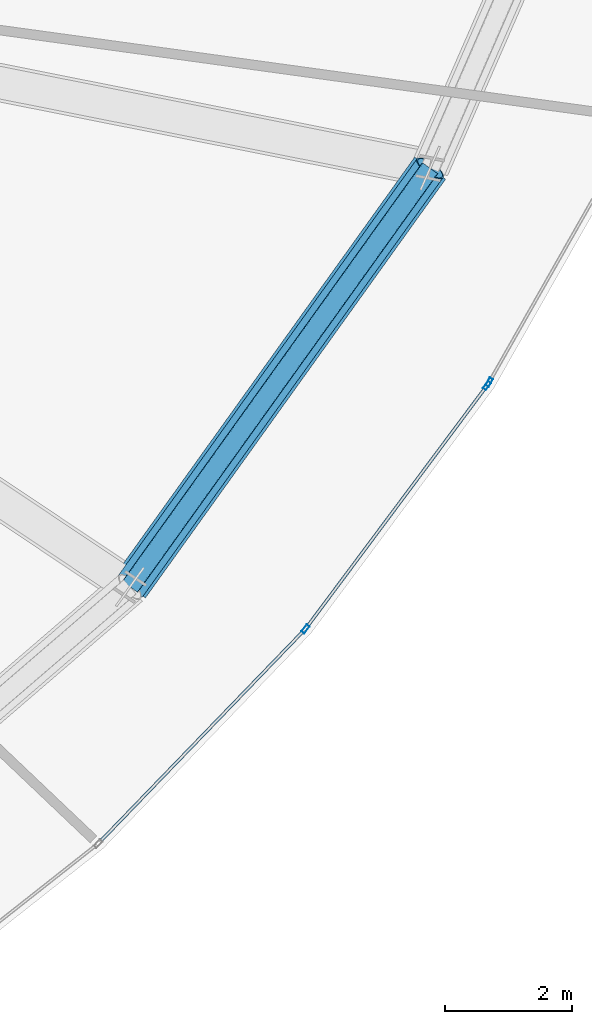
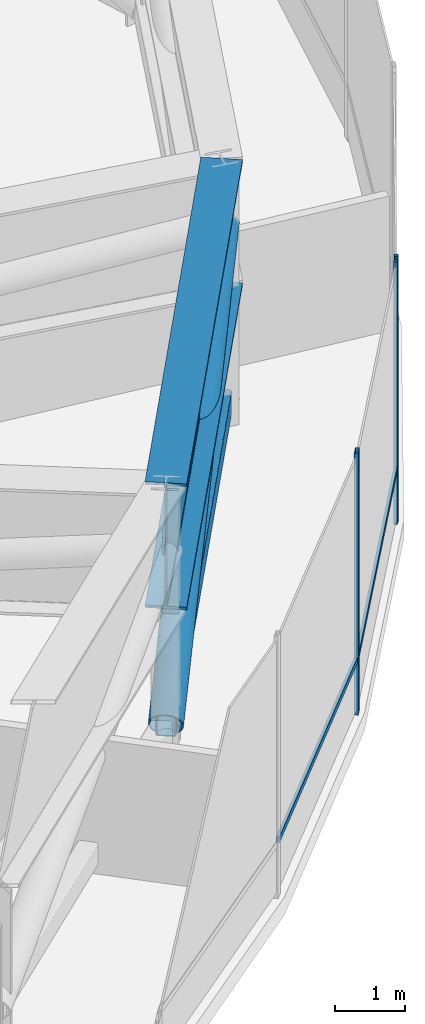
# One storey, part 15 of 30: 7 members, 1 beam, 2 elements without a shape of their own.
"""IFC4 building model written with IfcOpenShell, lengths in metres."""

from ifc_helpers import new_model, si_unit, direction, frame, origin, origin_2d, place, context, subcontext, project, spatial, hollow_rectangle, hollow_circle, i_section, extrude, source, transform, mapped, material, layer, layer_set, material_profile, profile_set, type_object, element, aggregate, save


model = new_model("IFC4")

# Units and contexts
model_context = context("Model", 3, precision=1e-05, world=origin(), true_north=direction((0.0, 1.0)))
body_context = subcontext(model_context, "Body", "Model", "MODEL_VIEW")
ifc_project = project(units=[si_unit("LENGTHUNIT", "METRE"), si_unit("AREAUNIT", "SQUARE_METRE"), si_unit("VOLUMEUNIT", "CUBIC_METRE"), si_unit("PLANEANGLEUNIT", "RADIAN"), si_unit("MASSUNIT", "GRAM", prefix="KILO"), si_unit("THERMODYNAMICTEMPERATUREUNIT", "KELVIN")], contexts=[model_context])

# Site, building, storey
site_placement = place(None, origin())
site = spatial("IfcSite", under=ifc_project, at=site_placement, CompositionType="ELEMENT")
building_placement = place(site_placement, origin())
building = spatial("IfcBuilding", under=site, at=building_placement, Name="Kethvar Cultural Tower", CompositionType="ELEMENT")
storey_placement = place(building_placement, frame((0.0, 0.0, 171.39990234375)))
storey = spatial("IfcBuildingStorey", under=building, at=storey_placement, Name="L44", CompositionType="ELEMENT", Elevation=171.39990234375)

# Beam
ifc_material_1 = material(Name="Steel S460M", Category="steel")
ifc_material_profile_1 = material_profile(ifc_material_1, i_section(OverallWidth=0.60009765625, OverallDepth=2.199951171875, WebThickness=0.028076171875, FlangeThickness=0.044921875, FilletRadius=0.02197265625, at=origin_2d()), Name="Steel S460M — PG2200x600x45x28")
ifc_profile_set_1 = profile_set([ifc_material_profile_1], Name="Steel S460M — PG2200x600x45x28")
beam_type = type_object("IfcBeamType", Name="BM-TR2200", PredefinedType="BEAM", material=ifc_profile_set_1)
shared_shape_1 = source(origin(), body_context, "Body", "SweptSolid", [
    extrude(i_section(OverallWidth=0.60009765625, OverallDepth=2.199951171875, WebThickness=0.028076171875, FlangeThickness=0.044921875, FilletRadius=0.02197265625, at=origin_2d()), origin(), (0.0, 0.0, 1.0), 8.13525390625),
])
beam_placement = place(storey_placement, frame((62.898681640625, 17.043212890625, 3.47802734375), z_axis=(0.582656731995, 0.812718359988, 0.0), x_axis=(-0.812718359988, 0.582656731995, 0.0)))
element("IfcBeam", 1, at=beam_placement, inside=storey, type_object=beam_type, Name="L44 Ring Belt Girder BG-15", PredefinedType="BEAM", context=body_context, shape_type="MappedRepresentation", body=[
    mapped(shared_shape_1, transform((0.0, 0.0, 0.0), scale=1.0)),
])

# Members
ifc_material_profile_2 = material_profile(ifc_material_1, hollow_rectangle(XDim=0.300048828125, YDim=0.39990234375, WallThickness=0.01611328125, InnerFilletRadius=0.01611328125, OuterFilletRadius=0.031982421875, at=origin_2d()), Name="Steel S460M — RHS400x300x16")
ifc_profile_set_2 = profile_set([ifc_material_profile_2], Name="Steel S460M — RHS400x300x16")
member_type_1 = type_object("IfcMemberType", Name="MB-CHD-400", PredefinedType="CHORD", material=ifc_profile_set_2)
shared_shape_2 = source(origin(), body_context, "Body", "SweptSolid", [
    extrude(hollow_rectangle(XDim=0.300048828125, YDim=0.39990234375, WallThickness=0.01611328125, InnerFilletRadius=0.01611328125, OuterFilletRadius=0.031982421875, at=origin_2d()), origin(), (0.0, 0.0, 1.0), 8.13525390625),
])
member_1_placement = place(storey_placement, frame((62.898681640625, 17.043212890625, 0.35009765625), z_axis=(0.582656731995, 0.812718359988, 0.0), x_axis=(-0.812718359988, 0.582656731995, 0.0)))
element("IfcMember", 2, at=member_1_placement, inside=storey, type_object=member_type_1, Name="L44 Ring Belt Bottom Chord BC-15", PredefinedType="CHORD", context=body_context, shape_type="MappedRepresentation", body=[
    mapped(shared_shape_2, transform((0.0, 0.0, 0.0), scale=1.0)),
])
ifc_material_profile_3 = material_profile(ifc_material_1, hollow_circle(Radius=0.25390625, WallThickness=0.02001953125, at=origin_2d()), Name="Steel S460M — CHS508x20")
ifc_profile_set_3 = profile_set([ifc_material_profile_3], Name="Steel S460M — CHS508x20")
member_type_2 = type_object("IfcMemberType", Name="MB-OUT-508", PredefinedType="BRACE", material=ifc_profile_set_3)
shared_shape_3 = source(origin(), body_context, "Body", "SweptSolid", [
    extrude(hollow_circle(Radius=0.25390625, WallThickness=0.02001953125, at=origin_2d()), origin(), (0.0, 0.0, 1.0), 8.7158203125),
])
member_2_placement = place(storey_placement, frame((62.898681640625, 17.043212890625, 0.35009765625), z_axis=(0.543841774427, 0.758577341913, 0.358882349418), x_axis=(-0.812718359988, 0.582656731995, 0.0)))
element("IfcMember", 3, at=member_2_placement, inside=storey, type_object=member_type_2, Name="L44 Ring Belt Diagonal BD-15", PredefinedType="BRACE", context=body_context, shape_type="MappedRepresentation", body=[
    mapped(shared_shape_3, transform((0.0, 0.0, 0.0), scale=1.0)),
])

# Curtain wall, members
ifc_material_2 = material(Name="Aluminium 6063-T6", Category="aluminium")
ifc_layer = layer(ifc_material_2, 0.179931640625, Name="Aluminium 6063-T6", Category="aluminium")
ifc_layer_set = layer_set([ifc_layer], Name="Aluminium 6063-T6 (180 mm)")
curtain_wall_type = type_object("IfcCurtainWallType", Name="CW-SYS-04-Z34", PredefinedType="NOTDEFINED", material=ifc_layer_set)
curtain_wall_1_placement = place(storey_placement, origin())
curtain_wall_1 = element("IfcCurtainWall", 4, at=curtain_wall_1_placement, inside=storey, type_object=curtain_wall_type, Name="L44 Curtain Wall Run 05", PredefinedType="NOTDEFINED")
ifc_material_profile_4 = material_profile(ifc_material_2, hollow_rectangle(XDim=0.06005859375, YDim=0.139892578125, WallThickness=0.0048828125, at=origin_2d()), Name="Aluminium 6063-T6 — RHS140x60x5")
ifc_profile_set_4 = profile_set([ifc_material_profile_4], Name="Aluminium 6063-T6 — RHS140x60x5")
member_type_3 = type_object("IfcMemberType", Name="CW-SYS-04-Z34-MUL", PredefinedType="MULLION", material=ifc_profile_set_4)
shared_shape_4 = source(origin(), body_context, "Body", "SweptSolid", [
    extrude(hollow_rectangle(XDim=0.06005859375, YDim=0.139892578125, WallThickness=0.0048828125, at=origin_2d()), origin(), (0.0, 0.0, 1.0), 4.580078125),
])
member_3_placement = place(storey_placement, frame((65.670654296875, 16.378173828125, 0.0), z_axis=(0.0, 0.0, 1.0), x_axis=(-0.801619158872, 0.597835030866, 0.0)))
member_3 = element("IfcMember", 5, at=member_3_placement, type_object=member_type_3, Name="CW-L44-R05 Mullion 6", PredefinedType="MULLION", context=body_context, shape_type="MappedRepresentation", body=[
    mapped(shared_shape_4, transform((0.0, 0.0, 0.0), scale=1.0)),
])
member_4_placement = place(storey_placement, frame((68.53662109375, 20.220947265625, 0.0), z_axis=(0.0, 0.0, 1.0), x_axis=(-0.801619158872, 0.597835030866, 0.0)))
member_4 = element("IfcMember", 6, at=member_4_placement, type_object=member_type_3, Name="CW-L44-R05 Mullion 7", PredefinedType="MULLION", context=body_context, shape_type="MappedRepresentation", body=[
    mapped(shared_shape_4, transform((0.0, 0.0, 0.0), scale=1.0)),
])

# Curtain wall, member
curtain_wall_2_placement = place(storey_placement, origin())
curtain_wall_2 = element("IfcCurtainWall", 7, at=curtain_wall_2_placement, inside=storey, type_object=curtain_wall_type, Name="L44 Curtain Wall Run 06", PredefinedType="NOTDEFINED")
member_5_placement = place(storey_placement, frame((68.57177734375, 20.274658203125, 0.0), z_axis=(0.0, 0.0, 1.0), x_axis=(-0.869684525465, 0.493607968095, 0.0)))
member_5 = element("IfcMember", 8, at=member_5_placement, type_object=member_type_3, Name="CW-L44-R06 Mullion 1", PredefinedType="MULLION", context=body_context, shape_type="MappedRepresentation", body=[
    mapped(shared_shape_4, transform((0.0, 0.0, 0.0), scale=1.0)),
])
aggregate(curtain_wall_2, [member_5])

# Member
ifc_material_profile_5 = material_profile(ifc_material_2, hollow_rectangle(XDim=0.050048828125, YDim=0.10009765625, WallThickness=0.00390625, at=origin_2d()), Name="Aluminium 6063-T6 — RHS100x50x4")
ifc_profile_set_5 = profile_set([ifc_material_profile_5], Name="Aluminium 6063-T6 — RHS100x50x4")
member_type_4 = type_object("IfcMemberType", Name="CW-SYS-04-Z34-TRN", PredefinedType="USERDEFINED", material=ifc_profile_set_5)
shared_shape_5 = source(origin(), body_context, "Body", "SweptSolid", [
    extrude(hollow_rectangle(XDim=0.050048828125, YDim=0.10009765625, WallThickness=0.00390625, at=origin_2d()), origin(), (0.0, 0.0, 1.0), 4.74658203125),
])
member_6_placement = place(storey_placement, frame((65.696533203125, 16.41259765625, 0.9501953125), z_axis=(0.597833403352, 0.801620372643, 0.0), x_axis=(-0.801620372643, 0.597833403352, 0.0)))
member_6 = element("IfcMember", 9, at=member_6_placement, type_object=member_type_4, Name="CW-L44-R05 Transom 6", ObjectType="TRANSOM", PredefinedType="USERDEFINED", context=body_context, shape_type="MappedRepresentation", body=[
    mapped(shared_shape_5, transform((0.0, 0.0, 0.0), scale=1.0)),
])

shared_shape_6 = source(origin(), body_context, "Body", "SweptSolid", [
    extrude(hollow_rectangle(XDim=0.050048828125, YDim=0.10009765625, WallThickness=0.00390625, at=origin_2d()), origin(), (0.0, 0.0, 1.0), 4.64306640625),
])
member_7_placement = place(storey_placement, frame((62.425048828125, 13.017333984375, 0.9501953125), z_axis=(0.694561669164, 0.719433171134, 0.0), x_axis=(-0.719433171134, 0.694561669164, 0.0)))
member_7 = element("IfcMember", 10, at=member_7_placement, type_object=member_type_4, Name="CW-L44-R05 Transom 5", ObjectType="TRANSOM", PredefinedType="USERDEFINED", context=body_context, shape_type="MappedRepresentation", body=[
    mapped(shared_shape_6, transform((0.0, 0.0, 0.0), scale=1.0)),
])

aggregate(curtain_wall_1, [member_3, member_4, member_7, member_6])

save(model, "model.ifc")
